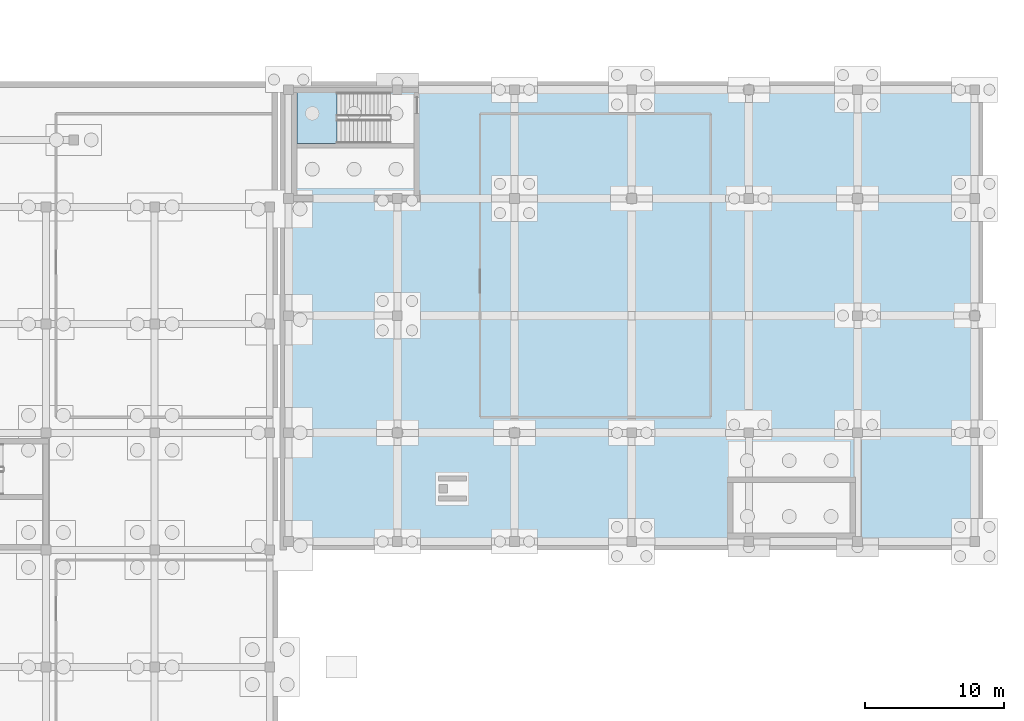
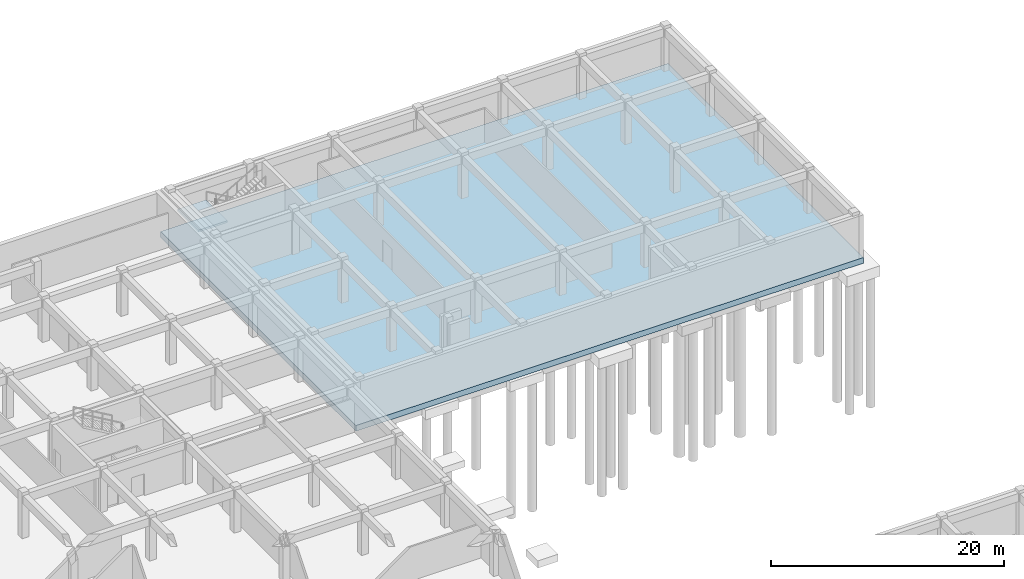
# One storey, part 15 of 35: 2 slabs, 1 element without a shape of its own.
"""IFC4 building model written with IfcOpenShell, lengths in metres."""

import ifcopenshell
import ifcopenshell.guid

model = None  # the IFC model being written
_history = None  # IfcOwnerHistory: only IFC2X3 demands one
_inside = {}  # id of a spatial element -> (the spatial element, [elements in it])
_under = {}  # id of a project, library or spatial element -> (it, [spatial elements below it])
_declared = {}  # id of a project -> (the project, [libraries it declares])
_typed = {}  # id of a type object -> (the type object, [elements of that type])
_made_of = {}  # id of a material, layer set ... -> (it, [elements and type objects made of it])


def new_model(schema):
    """Start an empty IFC model of exactly this schema.

    Asked for "IFC4X3", IfcOpenShell would pick the latest addendum, in which some entities
    have other attributes; the version numbers below select the first issue.
    IFC2X3 requires an IfcOwnerHistory on every rooted entity: one is made here for all.
    """
    global model, _history
    if schema == "IFC4X3":
        model = ifcopenshell.file(schema_version=(4, 3, 0, 0))
    else:
        model = ifcopenshell.file(schema=schema)
    _inside.clear()
    _under.clear()
    _declared.clear()
    _typed.clear()
    _made_of.clear()
    _history = None
    if model.schema == "IFC2X3":
        org = make("IfcOrganization", Name="unknown")
        user = make(
            "IfcPersonAndOrganization",
            ThePerson=make("IfcPerson", FamilyName="unknown"),
            TheOrganization=org,
        )
        app = make(
            "IfcApplication",
            ApplicationDeveloper=org,
            Version="unknown",
            ApplicationFullName="unknown",
            ApplicationIdentifier="unknown",
        )
        _history = make(
            "IfcOwnerHistory",
            OwningUser=user,
            OwningApplication=app,
            ChangeAction="ADDED",
            CreationDate=0,
        )
    return model


def make(cls, **values):
    """One entity of the class cls with the attributes given. An attribute that is None is left unset."""
    return model.create_entity(
        cls, **{name: value for name, value in values.items() if value is not None}
    )


def rooted(cls, **values):
    """An entity with a GlobalId (a new one), such as an element, a storey or a relation."""
    return make(cls, GlobalId=ifcopenshell.guid.new(), OwnerHistory=_history, **values)


def si_unit(unit_type, name, prefix=None):
    """IfcSIUnit, for example si_unit("LENGTHUNIT", "METRE", prefix="MILLI")."""
    return make("IfcSIUnit", UnitType=unit_type, Prefix=prefix, Name=name)


def assignment(units):
    """IfcUnitAssignment: the units of a project."""
    return None if units is None else make("IfcUnitAssignment", Units=units)


def point(xyz):
    """IfcCartesianPoint."""
    return None if xyz is None else make("IfcCartesianPoint", Coordinates=xyz)


def direction(xyz):
    """IfcDirection."""
    return None if xyz is None else make("IfcDirection", DirectionRatios=xyz)


def frame(location, z_axis=None, x_axis=None):
    """IfcAxis2Placement3D, a coordinate frame: its origin and axes. An axis left out is left unset."""
    return make(
        "IfcAxis2Placement3D",
        Location=point(location),
        Axis=direction(z_axis),
        RefDirection=direction(x_axis),
    )


def origin():
    """The frame at (0, 0, 0) with its axes left unset."""
    return frame((0.0, 0.0, 0.0))


def place(relative_to, where):
    """IfcLocalPlacement: puts the frame where relative to a parent placement (None: the world)."""
    return make(
        "IfcLocalPlacement", PlacementRelTo=relative_to, RelativePlacement=where
    )


def context(
    kind, dimensions, precision=None, world=None, true_north=None, identifier=None
):
    """IfcGeometricRepresentationContext, for example the 3D "Model" context."""
    return make(
        "IfcGeometricRepresentationContext",
        ContextIdentifier=identifier,
        ContextType=kind,
        CoordinateSpaceDimension=dimensions,
        Precision=precision,
        WorldCoordinateSystem=world,
        TrueNorth=true_north,
    )


def subcontext(parent, identifier, kind, view, scale=None):
    """IfcGeometricRepresentationSubContext, for example "Body" below "Model"."""
    return make(
        "IfcGeometricRepresentationSubContext",
        ContextIdentifier=identifier,
        ContextType=kind,
        ParentContext=parent,
        TargetScale=scale,
        TargetView=view,
    )


def project(units=None, contexts=None):
    """IfcProject with its units and contexts."""
    return rooted(
        "IfcProject",
        Name="project",
        RepresentationContexts=contexts,
        UnitsInContext=assignment(units),
    )


def spatial(cls, under=None, at=None, **own):
    """A site, building, storey or space (cls), placed at a placement, below another one or the project."""
    s = rooted(cls, ObjectPlacement=at, **own)
    if under is not None:
        _under.setdefault(under.id(), (under, []))[1].append(s)
    return s


def polyline(points):
    """IfcPolyline through the points."""
    return make("IfcPolyline", Points=[point(p) for p in points])


def outline(outer, holes=None, kind="AREA"):
    """IfcArbitraryClosedProfileDef: a profile drawn as a closed curve; with holes, ...WithVoids."""
    if holes is None:
        return make("IfcArbitraryClosedProfileDef", ProfileType=kind, OuterCurve=outer)
    return make(
        "IfcArbitraryProfileDefWithVoids",
        ProfileType=kind,
        OuterCurve=outer,
        InnerCurves=holes,
    )


def extrude(swept, where, along, depth):
    """IfcExtrudedAreaSolid: the profile swept, set in the frame where, extruded along a direction by depth."""
    return make(
        "IfcExtrudedAreaSolid",
        SweptArea=swept,
        Position=where,
        ExtrudedDirection=direction(along),
        Depth=depth,
    )


def shape(context_of_items, identifier, shape_type, items):
    """IfcShapeRepresentation: the items that make up one representation, for example the "Body"."""
    return make(
        "IfcShapeRepresentation",
        ContextOfItems=context_of_items,
        RepresentationIdentifier=identifier,
        RepresentationType=shape_type,
        Items=items,
    )


def material(Name=None, Category=None):
    """IfcMaterial."""
    return make("IfcMaterial", Name=Name, Category=Category)


def layer(
    of_material, thickness, ventilated=None, Name=None, Category=None, Priority=None
):
    """IfcMaterialLayer: one layer of a wall or slab, of a material (None: an air gap)."""
    return make(
        "IfcMaterialLayer",
        Material=of_material,
        LayerThickness=thickness,
        IsVentilated=ventilated,
        Name=Name,
        Category=Category,
        Priority=Priority,
    )


def layer_set(layers, Name=None):
    """IfcMaterialLayerSet."""
    return make("IfcMaterialLayerSet", MaterialLayers=layers, LayerSetName=Name)


def made_of(thing, what):
    """Note that an element or type object is made of a material, layer set ...; save() writes the relation."""
    if what is not None:
        _made_of.setdefault(what.id(), (what, []))[1].append(thing)
    return thing


def type_object(cls, material=None, **own):
    """A type object (cls), such as IfcWallType, which elements share."""
    return made_of(rooted(cls, **own), material)


def element(
    cls,
    number,
    at=None,
    inside=None,
    cuts=None,
    type_object=None,
    material=None,
    context=None,
    identifier="Body",
    shape_type=None,
    held_by="IfcProductDefinitionShape",
    body=None,
    shapes=None,
    **own,
):
    """One element of the class cls, such as IfcWall. Its Tag is "e" and its number.

    at: its placement. inside: the storey or other place that contains it. cuts: it is an
    opening in that element (IfcRelVoidsElement). A single representation is given by context,
    identifier, shape_type and body (its items); several are given by shapes. held_by: the class
    of the entity that holds the representations. save() writes the other relations.
    """
    e = rooted(cls, Tag="e%d" % number, ObjectPlacement=at, **own)
    if body is not None:
        shapes = [shape(context, identifier, shape_type, body)]
    if shapes is not None:
        e.Representation = make(held_by, Representations=shapes)
    if inside is not None:
        _inside.setdefault(inside.id(), (inside, []))[1].append(e)
    if cuts is not None:
        rooted(
            "IfcRelVoidsElement", RelatingBuildingElement=cuts, RelatedOpeningElement=e
        )
    if type_object is not None:
        _typed.setdefault(type_object.id(), (type_object, []))[1].append(e)
    return made_of(e, material)


def aggregate(whole, parts):
    """IfcRelAggregates: a whole, such as a stair, and the parts it consists of."""
    return rooted("IfcRelAggregates", RelatingObject=whole, RelatedObjects=parts)


def save(model, path):
    """Write the relations noted so far, then the file.

    IfcRelAggregates (storeys below a building ...), IfcRelContainedInSpatialStructure (elements
    in a storey), IfcRelDefinesByType, IfcRelAssociatesMaterial and IfcRelDeclares: one each for
    every whole, place, type object, material and project.
    """
    for whole, parts in _under.values():
        aggregate(whole, parts)
    for where, things in _inside.values():
        rooted(
            "IfcRelContainedInSpatialStructure",
            RelatedElements=things,
            RelatingStructure=where,
        )
    for kind, things in _typed.values():
        rooted("IfcRelDefinesByType", RelatedObjects=things, RelatingType=kind)
    for what, things in _made_of.values():
        rooted("IfcRelAssociatesMaterial", RelatedObjects=things, RelatingMaterial=what)
    for by, libraries in _declared.values():
        rooted("IfcRelDeclares", RelatingContext=by, RelatedDefinitions=libraries)
    model.write(path)


model = new_model("IFC4")

# Units and contexts
model_context = context("Model", 3, precision=1e-05, world=origin(), true_north=direction((0.0, 1.0)))
body_context = subcontext(model_context, "Body", "Model", "MODEL_VIEW")
ifc_project = project(units=[si_unit("LENGTHUNIT", "METRE"), si_unit("AREAUNIT", "SQUARE_METRE"), si_unit("VOLUMEUNIT", "CUBIC_METRE"), si_unit("PLANEANGLEUNIT", "RADIAN"), si_unit("MASSUNIT", "GRAM", prefix="KILO")], contexts=[model_context])

# Site, building, storey
site_placement = place(None, origin())
site = spatial("IfcSite", under=ifc_project, at=site_placement, CompositionType="ELEMENT")
building_placement = place(site_placement, origin())
building = spatial("IfcBuilding", under=site, at=building_placement, Name="Zayran Congress Hotel", CompositionType="ELEMENT")
storey_placement = place(building_placement, frame((0.0, 0.0, -4.800048828125)))
storey = spatial("IfcBuildingStorey", under=building, at=storey_placement, Name="B1", CompositionType="ELEMENT", Elevation=-4.800048828125)

# Slab
ifc_material = material(Name="Concrete C32/40", Category="concrete")
ifc_layer_1 = layer(ifc_material, 0.60009765625)
ifc_layer_set_1 = layer_set([ifc_layer_1], Name="Concrete C32/40")
slab_type_1 = type_object("IfcSlabType", Name="SL-BS-600", PredefinedType="BASESLAB", material=ifc_layer_set_1)
slab_1_placement = place(storey_placement, frame((0.0, 0.0, -0.599853515625)))
element("IfcSlab", 1, at=slab_1_placement, inside=storey, type_object=slab_type_1, Name="Ballroom Pavilion Basement Base Slab", PredefinedType="BASESLAB", context=body_context, shape_type="SweptSolid", body=[
    extrude(outline(polyline([(142.800048828125, 84.39990234375), (193.199951171875, 84.39990234375), (193.199951171875, 118.0), (142.800048828125, 118.0), (142.800048828125, 84.39990234375)])), origin(), (0.0, 0.0, 1.0), 0.599853515625),
])

# Stair, slab
stair_type = type_object("IfcStairType", Name="TP-STR-1700-48", PredefinedType="USERDEFINED", material=ifc_material)
stair_placement = place(storey_placement, origin())
stair = element("IfcStair", 2, at=stair_placement, inside=storey, type_object=stair_type, Name="B1 ST-09", ObjectType="TWO_RETURN_STAIR", PredefinedType="USERDEFINED")
ifc_layer_2 = layer(ifc_material, 0.199951171875)
ifc_layer_set_2 = layer_set([ifc_layer_2], Name="Concrete C32/40")
slab_type_2 = type_object("IfcSlabType", Name="TP-LND-1700", PredefinedType="LANDING", material=ifc_layer_set_2)
slab_2_placement = place(storey_placement, frame((0.0, 0.0, 2.199951171875)))
slab_2 = element("IfcSlab", 3, at=slab_2_placement, type_object=slab_type_2, Name="ST-09 landing 1", PredefinedType="LANDING", context=body_context, shape_type="SweptSolid", body=[
    extrude(outline(polyline([(146.864990234375, 117.199951171875), (144.0, 117.199951171875), (144.0, 113.56005859375), (146.864990234375, 113.56005859375), (146.864990234375, 117.199951171875)])), origin(), (0.0, 0.0, 1.0), 0.2001953125),
])
aggregate(stair, [slab_2])

save(model, "model.ifc")
